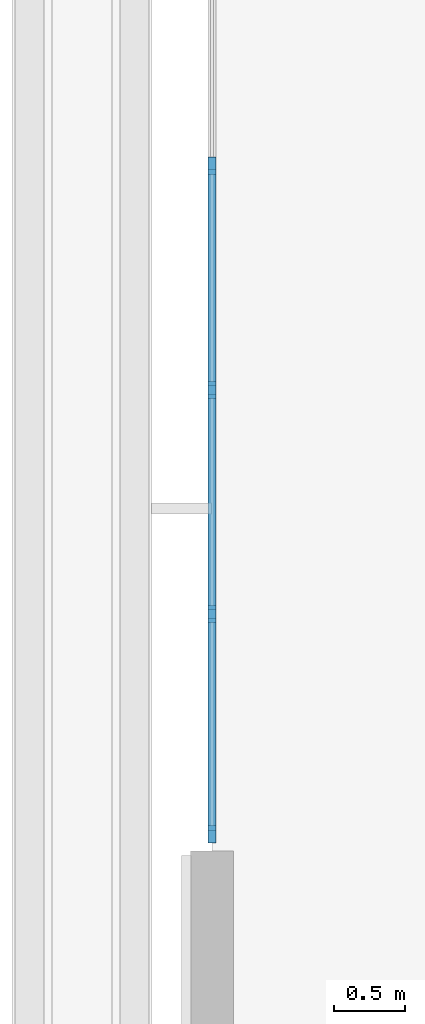
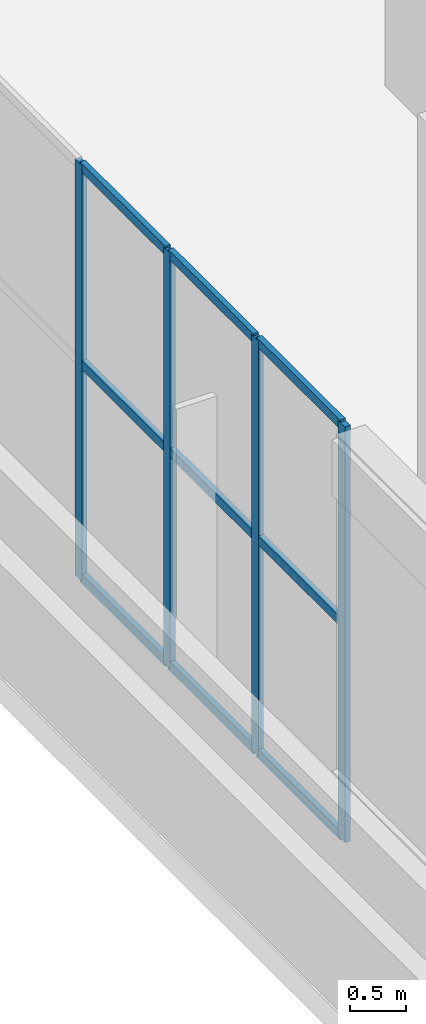
# One storey, part 4 of 96: 13 members, 1 element without a shape of its own.
"""IFC4 building model written with IfcOpenShell, lengths in metres."""

from ifc_helpers import new_model, si_unit, direction, frame, origin, origin_2d, place, context, subcontext, project, spatial, rectangle, extrude, material, layer, layer_set, material_profile, profile_set, type_object, element, aggregate, save


model = new_model("IFC4")

# Units and contexts
model_context = context("Model", 3, precision=1e-05, world=origin(), true_north=direction((0.0, 1.0)))
body_context = subcontext(model_context, "Body", "Model", "MODEL_VIEW")
ifc_project = project(units=[si_unit("LENGTHUNIT", "METRE"), si_unit("AREAUNIT", "SQUARE_METRE"), si_unit("VOLUMEUNIT", "CUBIC_METRE"), si_unit("PLANEANGLEUNIT", "RADIAN"), si_unit("MASSUNIT", "GRAM", prefix="KILO")], contexts=[model_context])

# Site, building, storey
site_placement = place(None, origin())
site = spatial("IfcSite", under=ifc_project, at=site_placement, CompositionType="ELEMENT")
building_placement = place(site_placement, origin())
building = spatial("IfcBuilding", under=site, at=building_placement, Name="Cendralis Terraced Arcade", CompositionType="ELEMENT")
storey_placement = place(building_placement, frame((0.0, 0.0, 10.199951171875)))
storey = spatial("IfcBuildingStorey", under=building, at=storey_placement, Name="L02", CompositionType="ELEMENT", Elevation=10.199951171875)

# Curtain wall, members
ifc_material = material(Name="Anodised aluminium EN AW-6063 T6", Category="aluminium")
ifc_layer = layer(ifc_material, 0.1201171875, Name="CW-STORE-B")
ifc_layer_set = layer_set([ifc_layer], Name="Anodised aluminium EN AW-6063 T6")
curtain_wall_type = type_object("IfcCurtainWallType", Name="CW-STORE-B", PredefinedType="USERDEFINED", material=ifc_layer_set)
curtain_wall_placement = place(storey_placement, origin())
curtain_wall = element("IfcCurtainWall", 1, at=curtain_wall_placement, inside=storey, type_object=curtain_wall_type, Name="Exterior Storefront Glazing CW-L02-0221", ObjectType="STOREFRONT GLAZING", PredefinedType="USERDEFINED")
ifc_material_profile_1 = material_profile(ifc_material, rectangle(XDim=0.054931640625, YDim=0.1201171875, at=origin_2d()), Name="ALU-MUL-55x120")
ifc_profile_set_1 = profile_set([ifc_material_profile_1], Name="Anodised aluminium EN AW-6063 T6")
member_type_1 = type_object("IfcMemberType", Name="CW-STORE-B-MUL", PredefinedType="MULLION", material=ifc_profile_set_1)
member_1_placement = place(storey_placement, frame((3.0, 28.91748046875, 0.0), z_axis=(0.0, 0.0, 1.0), x_axis=(-1.0, 0.0, 0.0)))
member_1 = element("IfcMember", 2, at=member_1_placement, type_object=member_type_1, Name="CW-S2 mullion 1", PredefinedType="MULLION", context=body_context, shape_type="SweptSolid", body=[
    extrude(rectangle(XDim=0.054931640625, YDim=0.1201171875, at=origin_2d()), origin(), (0.0, 0.0, 1.0), 4.51513671875),
])
member_2_placement = place(storey_placement, frame((3.0, 30.4599609375, 0.0), z_axis=(0.0, 0.0, 1.0), x_axis=(-1.0, 0.0, 0.0)))
member_2 = element("IfcMember", 3, at=member_2_placement, type_object=member_type_1, Name="CW-S2 mullion 2", PredefinedType="MULLION", context=body_context, shape_type="SweptSolid", body=[
    extrude(rectangle(XDim=0.054931640625, YDim=0.1201171875, at=origin_2d()), origin(), (0.0, 0.0, 1.0), 4.51513671875),
])
member_3_placement = place(storey_placement, frame((3.0, 32.030029296875, 0.0), z_axis=(0.0, 0.0, 1.0), x_axis=(-1.0, 0.0, 0.0)))
member_3 = element("IfcMember", 4, at=member_3_placement, type_object=member_type_1, Name="CW-S2 mullion 3", PredefinedType="MULLION", context=body_context, shape_type="SweptSolid", body=[
    extrude(rectangle(XDim=0.054931640625, YDim=0.1201171875, at=origin_2d()), origin(), (0.0, 0.0, 1.0), 4.51513671875),
])
member_4_placement = place(storey_placement, frame((3.0, 33.60009765625, 0.0), z_axis=(0.0, 0.0, 1.0), x_axis=(-1.0, 0.0, 0.0)))
member_4 = element("IfcMember", 5, at=member_4_placement, type_object=member_type_1, Name="CW-S2 mullion 4", PredefinedType="MULLION", context=body_context, shape_type="SweptSolid", body=[
    extrude(rectangle(XDim=0.054931640625, YDim=0.1201171875, at=origin_2d()), origin(), (0.0, 0.0, 1.0), 4.51513671875),
])
ifc_material_profile_2 = material_profile(ifc_material, rectangle(XDim=0.054931640625, YDim=0.10009765625, at=origin_2d()), Name="ALU-TRN-55x100")
ifc_profile_set_2 = profile_set([ifc_material_profile_2], Name="Anodised aluminium EN AW-6063 T6")
member_type_2 = type_object("IfcMemberType", Name="CW-STORE-B-TRN", PredefinedType="USERDEFINED", material=ifc_profile_set_2)
member_5_placement = place(storey_placement, frame((3.0, 28.945068359375, 0.027587890625), z_axis=(0.0, 1.0, 0.0), x_axis=(-1.0, 0.0, 0.0)))
member_5 = element("IfcMember", 6, at=member_5_placement, type_object=member_type_2, Name="CW-S2 transom 1.1", ObjectType="TRANSOM", PredefinedType="USERDEFINED", context=body_context, shape_type="SweptSolid", body=[
    extrude(rectangle(XDim=0.054931640625, YDim=0.10009765625, at=origin_2d()), origin(), (0.0, 0.0, 1.0), 1.487548828125),
])
member_6_placement = place(storey_placement, frame((3.0, 28.945068359375, 2.347900390625), z_axis=(0.0, 1.0, 0.0), x_axis=(-1.0, 0.0, 0.0)))
member_6 = element("IfcMember", 7, at=member_6_placement, type_object=member_type_2, Name="CW-S2 transom 1.2", ObjectType="TRANSOM", PredefinedType="USERDEFINED", context=body_context, shape_type="SweptSolid", body=[
    extrude(rectangle(XDim=0.054931640625, YDim=0.10009765625, at=origin_2d()), origin(), (0.0, 0.0, 1.0), 1.487548828125),
])
member_7_placement = place(storey_placement, frame((3.0, 28.945068359375, 4.487548828125), z_axis=(0.0, 1.0, 0.0), x_axis=(-1.0, 0.0, 0.0)))
member_7 = element("IfcMember", 8, at=member_7_placement, type_object=member_type_2, Name="CW-S2 transom 1.3", ObjectType="TRANSOM", PredefinedType="USERDEFINED", context=body_context, shape_type="SweptSolid", body=[
    extrude(rectangle(XDim=0.054931640625, YDim=0.10009765625, at=origin_2d()), origin(), (0.0, 0.0, 1.0), 1.487548828125),
])
member_8_placement = place(storey_placement, frame((3.0, 30.487548828125, 0.027587890625), z_axis=(0.0, 1.0, 0.0), x_axis=(-1.0, 0.0, 0.0)))
member_8 = element("IfcMember", 9, at=member_8_placement, type_object=member_type_2, Name="CW-S2 transom 2.1", ObjectType="TRANSOM", PredefinedType="USERDEFINED", context=body_context, shape_type="SweptSolid", body=[
    extrude(rectangle(XDim=0.054931640625, YDim=0.10009765625, at=origin_2d()), origin(), (0.0, 0.0, 1.0), 1.514892578125),
])
member_9_placement = place(storey_placement, frame((3.0, 30.487548828125, 2.347900390625), z_axis=(0.0, 1.0, 0.0), x_axis=(-1.0, 0.0, 0.0)))
member_9 = element("IfcMember", 10, at=member_9_placement, type_object=member_type_2, Name="CW-S2 transom 2.2", ObjectType="TRANSOM", PredefinedType="USERDEFINED", context=body_context, shape_type="SweptSolid", body=[
    extrude(rectangle(XDim=0.054931640625, YDim=0.10009765625, at=origin_2d()), origin(), (0.0, 0.0, 1.0), 1.514892578125),
])
member_10_placement = place(storey_placement, frame((3.0, 30.487548828125, 4.487548828125), z_axis=(0.0, 1.0, 0.0), x_axis=(-1.0, 0.0, 0.0)))
member_10 = element("IfcMember", 11, at=member_10_placement, type_object=member_type_2, Name="CW-S2 transom 2.3", ObjectType="TRANSOM", PredefinedType="USERDEFINED", context=body_context, shape_type="SweptSolid", body=[
    extrude(rectangle(XDim=0.054931640625, YDim=0.10009765625, at=origin_2d()), origin(), (0.0, 0.0, 1.0), 1.514892578125),
])
member_11_placement = place(storey_placement, frame((3.0, 32.0576171875, 0.027587890625), z_axis=(0.0, 1.0, 0.0), x_axis=(-1.0, 0.0, 0.0)))
member_11 = element("IfcMember", 12, at=member_11_placement, type_object=member_type_2, Name="CW-S2 transom 3.1", ObjectType="TRANSOM", PredefinedType="USERDEFINED", context=body_context, shape_type="SweptSolid", body=[
    extrude(rectangle(XDim=0.054931640625, YDim=0.10009765625, at=origin_2d()), origin(), (0.0, 0.0, 1.0), 1.514892578125),
])
member_12_placement = place(storey_placement, frame((3.0, 32.0576171875, 2.347900390625), z_axis=(0.0, 1.0, 0.0), x_axis=(-1.0, 0.0, 0.0)))
member_12 = element("IfcMember", 13, at=member_12_placement, type_object=member_type_2, Name="CW-S2 transom 3.2", ObjectType="TRANSOM", PredefinedType="USERDEFINED", context=body_context, shape_type="SweptSolid", body=[
    extrude(rectangle(XDim=0.054931640625, YDim=0.10009765625, at=origin_2d()), origin(), (0.0, 0.0, 1.0), 1.514892578125),
])
member_13_placement = place(storey_placement, frame((3.0, 32.0576171875, 4.487548828125), z_axis=(0.0, 1.0, 0.0), x_axis=(-1.0, 0.0, 0.0)))
member_13 = element("IfcMember", 14, at=member_13_placement, type_object=member_type_2, Name="CW-S2 transom 3.3", ObjectType="TRANSOM", PredefinedType="USERDEFINED", context=body_context, shape_type="SweptSolid", body=[
    extrude(rectangle(XDim=0.054931640625, YDim=0.10009765625, at=origin_2d()), origin(), (0.0, 0.0, 1.0), 1.514892578125),
])
aggregate(curtain_wall, [member_1, member_2, member_3, member_4, member_5, member_6, member_7, member_8, member_9, member_10, member_11, member_12, member_13])

save(model, "model.ifc")
